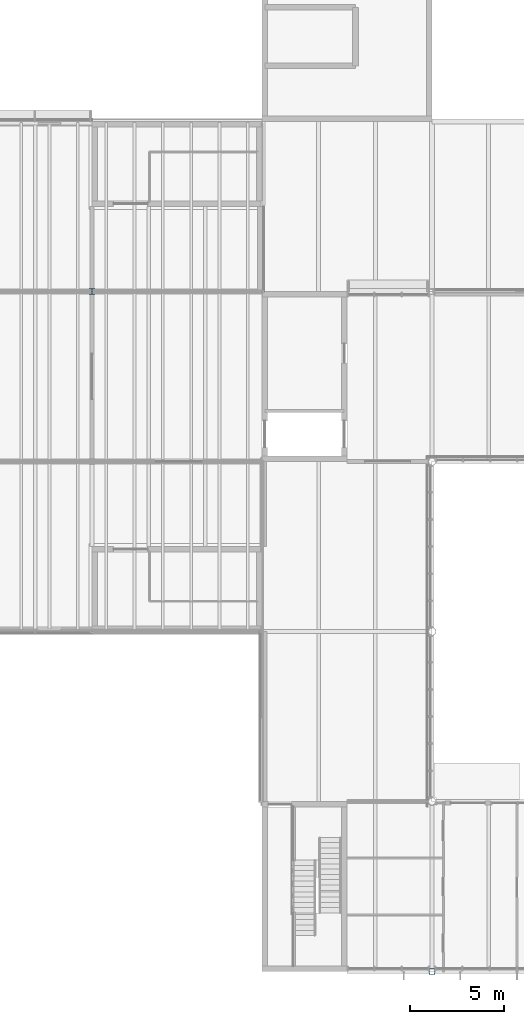
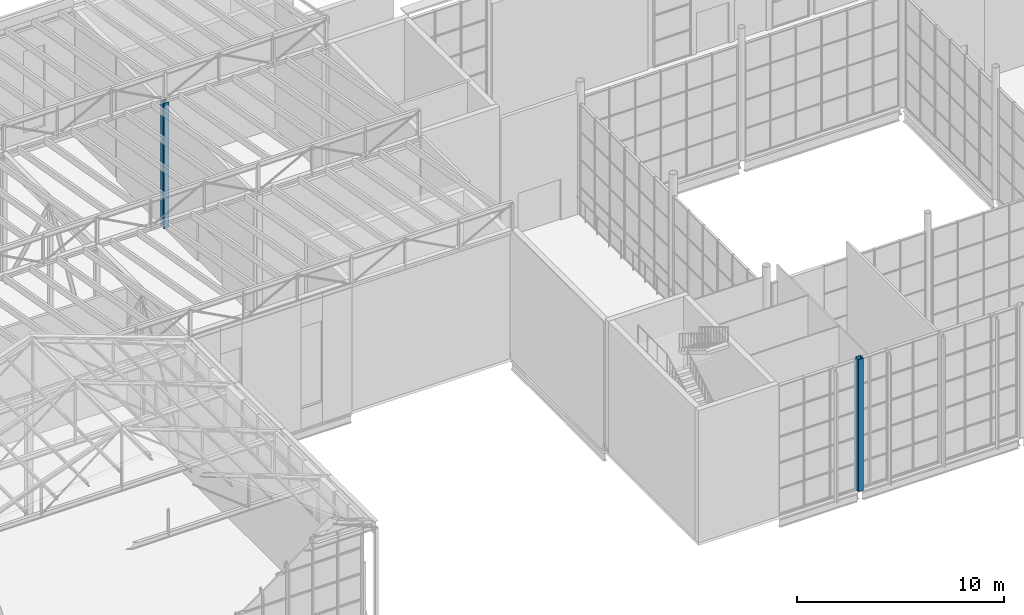
# One storey, part 4 of 90: 2 columns.
"""IFC4 building model written with IfcOpenShell, lengths in metres."""

from ifc_helpers import new_model, si_unit, direction, frame, origin, origin_2d, place, context, subcontext, project, spatial, hollow_rectangle, i_section, extrude, material, material_profile, profile_set, type_object, element, save


model = new_model("IFC4")

# Units and contexts
model_context = context("Model", 3, precision=1e-05, world=origin(), true_north=direction((0.0, 1.0)))
body_context = subcontext(model_context, "Body", "Model", "MODEL_VIEW")
ifc_project = project(units=[si_unit("LENGTHUNIT", "METRE"), si_unit("AREAUNIT", "SQUARE_METRE"), si_unit("VOLUMEUNIT", "CUBIC_METRE"), si_unit("PLANEANGLEUNIT", "RADIAN"), si_unit("MASSUNIT", "GRAM", prefix="KILO")], contexts=[model_context])

# Site, building, storey
site_placement = place(None, origin())
site = spatial("IfcSite", under=ifc_project, at=site_placement, CompositionType="ELEMENT")
building_placement = place(site_placement, origin())
building = spatial("IfcBuilding", under=site, at=building_placement, Name="Halyard Row Museum", CompositionType="ELEMENT")
storey_placement = place(building_placement, frame((0.0, 0.0, 13.39990234375)))
storey = spatial("IfcBuildingStorey", under=building, at=storey_placement, Name="L03", CompositionType="ELEMENT", Elevation=13.39990234375)

# Columns
ifc_material_1 = material(Name="Steel Grade C350L0", Category="steel")
ifc_material_profile_1 = material_profile(ifc_material_1, hollow_rectangle(XDim=0.300048828125, YDim=0.300048828125, WallThickness=0.01611328125, InnerFilletRadius=0.02392578125, OuterFilletRadius=0.0400390625, at=origin_2d()), Name="300x300x16.0SHS")
ifc_profile_set_1 = profile_set([ifc_material_profile_1], Name="Steel Grade C350L0")
column_type_1 = type_object("IfcColumnType", Name="Column 300x300x16.0SHS edge", PredefinedType="COLUMN", material=ifc_profile_set_1)
column_1_placement = place(storey_placement, frame((81.0, 0.0, 0.0), z_axis=(0.0, 0.0, 1.0), x_axis=(1.0, 0.0, 0.0)))
element("IfcColumn", 1, at=column_1_placement, inside=storey, type_object=column_type_1, Name="Column 10A L03", PredefinedType="COLUMN", context=body_context, shape_type="SweptSolid", body=[
    extrude(hollow_rectangle(XDim=0.300048828125, YDim=0.300048828125, WallThickness=0.01611328125, InnerFilletRadius=0.02392578125, OuterFilletRadius=0.0400390625, at=origin_2d()), origin(), (0.0, 0.0, 1.0), 7.800048828125),
])
ifc_material_2 = material(Name="Steel Grade 300", Category="steel")
ifc_material_profile_2 = material_profile(ifc_material_2, i_section(OverallWidth=0.304931640625, OverallDepth=0.30810546875, WebThickness=0.010009765625, FlangeThickness=0.015380859375, FilletRadius=0.0166015625, at=origin_2d()), Name="310UC96.8")
ifc_profile_set_2 = profile_set([ifc_material_profile_2], Name="Steel Grade 300")
column_type_2 = type_object("IfcColumnType", Name="Column 310UC96.8 interior", PredefinedType="COLUMN", material=ifc_profile_set_2)
column_2_placement = place(storey_placement, frame((63.0, 36.0, 0.0), z_axis=(0.0, 0.0, 1.0), x_axis=(1.0, 0.0, 0.0)))
element("IfcColumn", 2, at=column_2_placement, inside=storey, type_object=column_type_2, Name="Column 8E L03", PredefinedType="COLUMN", context=body_context, shape_type="SweptSolid", body=[
    extrude(i_section(OverallWidth=0.304931640625, OverallDepth=0.30810546875, WebThickness=0.010009765625, FlangeThickness=0.015380859375, FilletRadius=0.0166015625, at=origin_2d()), origin(), (0.0, 0.0, 1.0), 7.400146484375),
])

save(model, "model.ifc")
